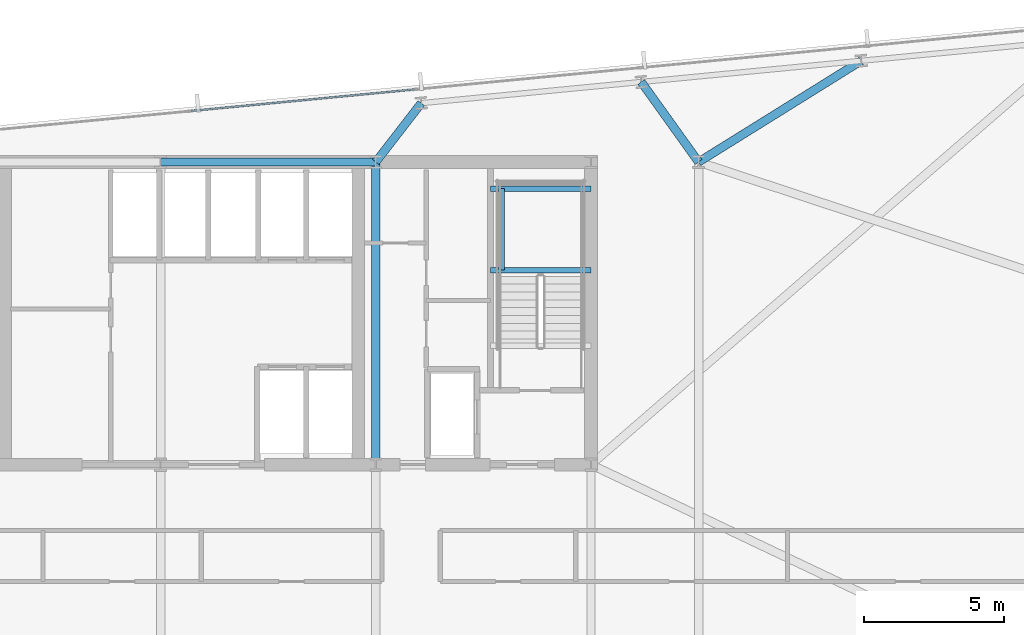
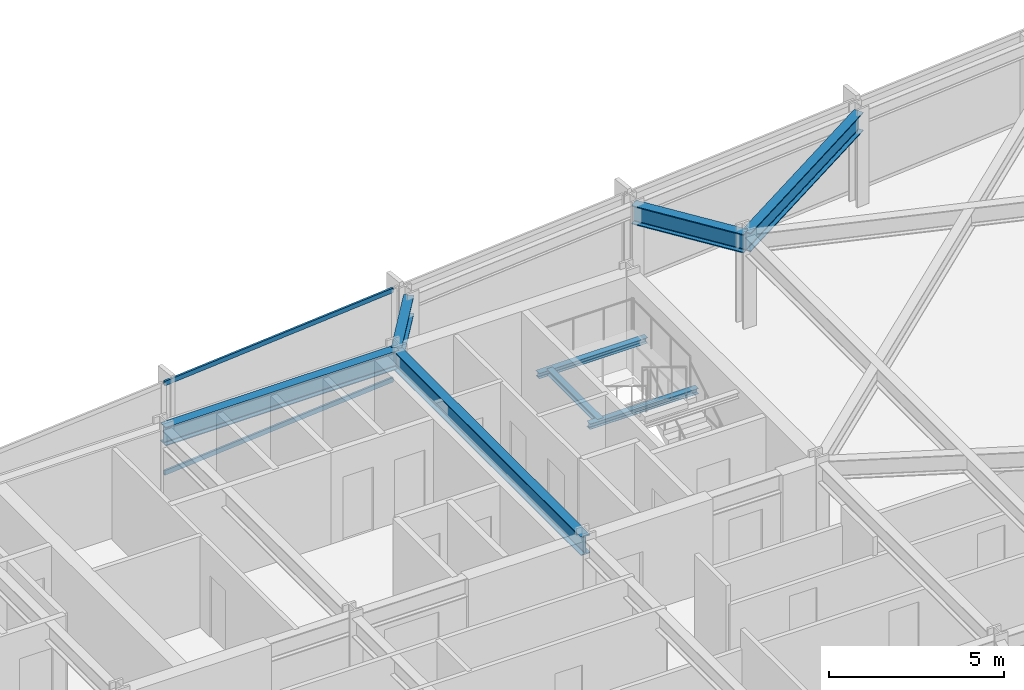
# One storey, part 20 of 32: 8 beams, 2 members, 1 element without a shape of its own.
"""IFC4 building model written with IfcOpenShell, lengths in metres."""

from ifc_helpers import new_model, si_unit, direction, frame, origin, origin_2d, place, context, subcontext, project, spatial, hollow_rectangle, i_section, extrude, material, material_profile, profile_set, type_object, element, aggregate, save


model = new_model("IFC4")

# Units and contexts
model_context = context("Model", 3, precision=1e-05, world=origin(), true_north=direction((0.0, 1.0)))
body_context = subcontext(model_context, "Body", "Model", "MODEL_VIEW")
ifc_project = project(units=[si_unit("LENGTHUNIT", "METRE"), si_unit("AREAUNIT", "SQUARE_METRE"), si_unit("VOLUMEUNIT", "CUBIC_METRE"), si_unit("PLANEANGLEUNIT", "RADIAN"), si_unit("MASSUNIT", "GRAM", prefix="KILO")], contexts=[model_context])

# Site, building, storey
site_placement = place(None, origin())
site = spatial("IfcSite", under=ifc_project, at=site_placement, CompositionType="ELEMENT")
building_placement = place(site_placement, origin())
building = spatial("IfcBuilding", under=site, at=building_placement, Name="Yelkora Congress Tower", CompositionType="ELEMENT")
storey_placement = place(building_placement, frame((0.0, 0.0, 120.300048828125)))
storey = spatial("IfcBuildingStorey", under=building, at=storey_placement, Name="L32", CompositionType="ELEMENT", Elevation=120.300048828125)

# Beams
ifc_material_1 = material(Name="Steel S355J2", Category="steel")
ifc_material_profile_1 = material_profile(ifc_material_1, i_section(OverallWidth=0.300048828125, OverallDepth=0.64990234375, WebThickness=0.01611328125, FlangeThickness=0.031005859375, FilletRadius=0.027099609375, at=origin_2d()), Name="HEB 650")
ifc_profile_set_1 = profile_set([ifc_material_profile_1], Name="Steel S355J2")
beam_type_1 = type_object("IfcBeamType", Name="BM-GIRD-HEB650", PredefinedType="BEAM", material=ifc_profile_set_1)
beam_1_placement = place(storey_placement, frame((38.39990234375, 46.199951171875, 2.85498046875), z_axis=(1.0, 0.0, 0.0), x_axis=(0.0, 1.0, 0.0)))
element("IfcBeam", 1, at=beam_1_placement, inside=storey, type_object=beam_type_1, Name="L32 Core North Girder 4", PredefinedType="BEAM", context=body_context, shape_type="SweptSolid", body=[
    extrude(i_section(OverallWidth=0.300048828125, OverallDepth=0.64990234375, WebThickness=0.01611328125, FlangeThickness=0.031005859375, FilletRadius=0.027099609375, at=origin_2d()), origin(), (0.0, 0.0, 1.0), 7.68017578125),
])
beam_2_placement = place(storey_placement, frame((46.080078125, 35.39990234375, 2.85498046875), z_axis=(0.0, 1.0, 0.0), x_axis=(-1.0, 0.0, 0.0)))
element("IfcBeam", 2, at=beam_2_placement, inside=storey, type_object=beam_type_1, Name="L32 Core Tie Girder MC-S4", PredefinedType="BEAM", context=body_context, shape_type="SweptSolid", body=[
    extrude(i_section(OverallWidth=0.300048828125, OverallDepth=0.64990234375, WebThickness=0.01611328125, FlangeThickness=0.031005859375, FilletRadius=0.027099609375, at=origin_2d()), origin(), (0.0, 0.0, 1.0), 10.800048828125),
])
beam_3_placement = place(storey_placement, frame((47.70458984375, 48.300537109375, 2.85498046875), z_axis=(-0.611761448665, -0.791042306029, 0.0), x_axis=(0.791042306029, -0.611761448665, 0.0)))
element("IfcBeam", 3, at=beam_3_placement, inside=storey, type_object=beam_type_1, Name="L32 Primary Frame Girder N05", PredefinedType="BEAM", context=body_context, shape_type="SweptSolid", body=[
    extrude(i_section(OverallWidth=0.300048828125, OverallDepth=0.64990234375, WebThickness=0.01611328125, FlangeThickness=0.031005859375, FilletRadius=0.027099609375, at=origin_2d()), origin(), (0.0, 0.0, 1.0), 2.655517578125),
])
beam_4_placement = place(storey_placement, frame((55.553955078125, 49.056396484375, 2.85498046875), z_axis=(0.582335305303, -0.81294870207, 0.0), x_axis=(0.81294870207, 0.582335305303, 0.0)))
element("IfcBeam", 4, at=beam_4_placement, inside=storey, type_object=beam_type_1, Name="L32 Primary Frame Girder N06", PredefinedType="BEAM", context=body_context, shape_type="SweptSolid", body=[
    extrude(i_section(OverallWidth=0.300048828125, OverallDepth=0.64990234375, WebThickness=0.01611328125, FlangeThickness=0.031005859375, FilletRadius=0.027099609375, at=origin_2d()), origin(), (0.0, 0.0, 1.0), 3.513671875),
])
beam_5_placement = place(storey_placement, frame((63.4033203125, 49.81201171875, 2.85498046875), z_axis=(-0.848980050527, -0.528424898929, 0.0), x_axis=(0.528424898929, -0.848980050527, 0.0)))
element("IfcBeam", 5, at=beam_5_placement, inside=storey, type_object=beam_type_1, Name="L32 Primary Frame Girder N07", PredefinedType="BEAM", context=body_context, shape_type="SweptSolid", body=[
    extrude(i_section(OverallWidth=0.300048828125, OverallDepth=0.64990234375, WebThickness=0.01611328125, FlangeThickness=0.031005859375, FilletRadius=0.027099609375, at=origin_2d()), origin(), (0.0, 0.0, 1.0), 6.83544921875),
])
ifc_material_profile_2 = material_profile(ifc_material_1, i_section(OverallWidth=0.199951171875, OverallDepth=0.18994140625, WebThickness=0.006591796875, FlangeThickness=0.010009765625, FilletRadius=0.01806640625, at=origin_2d()), Name="HEA 200")
ifc_profile_set_2 = profile_set([ifc_material_profile_2], Name="Steel S355J2")
beam_type_2 = type_object("IfcBeamType", Name="BM-LAND-HEA200", PredefinedType="BEAM", material=ifc_profile_set_2)
for number, where, z_axis, x_axis, name in (
    (6, (50.179931640625, 42.340087890625, 1.384521484375), (1.0, 0.0, 0.0), (0.0, 1.0, 0.0), "ST-02 L32 Landing Header Beam 1S"),
    (7, (50.179931640625, 45.25, 1.384521484375), (1.0, 0.0, 0.0), (0.0, 1.0, 0.0), "ST-02 L32 Landing Header Beam 1N"),
):
    element("IfcBeam", number, at=place(storey_placement, frame(where, z_axis=z_axis, x_axis=x_axis)), inside=storey, type_object=beam_type_2, Name=name, PredefinedType="BEAM", context=body_context, shape_type="SweptSolid", body=[
        extrude(i_section(OverallWidth=0.199951171875, OverallDepth=0.18994140625, WebThickness=0.006591796875, FlangeThickness=0.010009765625, FilletRadius=0.01806640625, at=origin_2d()), origin(), (0.0, 0.0, 1.0), 3.580078125),
    ])
beam_6_placement = place(storey_placement, frame((50.580078125, 42.340087890625, 1.384521484375), z_axis=(0.0, 1.0, 0.0), x_axis=(-1.0, 0.0, 0.0)))
element("IfcBeam", 8, at=beam_6_placement, inside=storey, type_object=beam_type_2, Name="ST-02 L32 Landing Trimmer Beam 1M", PredefinedType="BEAM", context=body_context, shape_type="SweptSolid", body=[
    extrude(i_section(OverallWidth=0.199951171875, OverallDepth=0.18994140625, WebThickness=0.006591796875, FlangeThickness=0.010009765625, FilletRadius=0.01806640625, at=origin_2d()), origin(), (0.0, 0.0, 1.0), 2.909912109375),
])

# Curtain wall, members
ifc_material_2 = material(Name="Anodised aluminium and insulated glass", Category="aluminium")
curtain_wall_type = type_object("IfcCurtainWallType", Name="CW-SYS-B2", PredefinedType="NOTDEFINED", material=ifc_material_2)
curtain_wall_placement = place(storey_placement, origin())
curtain_wall = element("IfcCurtainWall", 9, at=curtain_wall_placement, inside=storey, type_object=curtain_wall_type, Name="L32 Unitised Curtain Wall 10 (3)", PredefinedType="NOTDEFINED")
ifc_material_3 = material(Name="Anodised aluminium 6063-T6", Category="aluminium")
ifc_material_profile_3 = material_profile(ifc_material_3, hollow_rectangle(XDim=0.06494140625, YDim=0.159912109375, WallThickness=0.00390625, at=origin_2d()), Name="ALU 65x160x4")
ifc_profile_set_3 = profile_set([ifc_material_profile_3], Name="Anodised aluminium 6063-T6")
member_type = type_object("IfcMemberType", Name="MEM-TR-B2", PredefinedType="USERDEFINED", material=ifc_profile_set_3)
member_1_placement = place(storey_placement, frame((39.48681640625, 48.021728515625, 0.032470703125), z_axis=(0.995397513894, 0.095832089266, 0.0), x_axis=(-0.095832089266, 0.995397513894, 0.0)))
member_1 = element("IfcMember", 10, at=member_1_placement, type_object=member_type, Name="CW-B2 transom 3.1", ObjectType="TRANSOM", PredefinedType="USERDEFINED", context=body_context, shape_type="SweptSolid", body=[
    extrude(hollow_rectangle(XDim=0.06494140625, YDim=0.159912109375, WallThickness=0.00390625, at=origin_2d()), origin(), (0.0, 0.0, 1.0), 8.007080078125),
])
member_2_placement = place(storey_placement, frame((39.48681640625, 48.021728515625, 3.1474609375), z_axis=(0.995397513894, 0.095832089266, 0.0), x_axis=(-0.095832089266, 0.995397513894, 0.0)))
member_2 = element("IfcMember", 11, at=member_2_placement, type_object=member_type, Name="CW-B2 transom 3.2", ObjectType="TRANSOM", PredefinedType="USERDEFINED", context=body_context, shape_type="SweptSolid", body=[
    extrude(hollow_rectangle(XDim=0.06494140625, YDim=0.159912109375, WallThickness=0.00390625, at=origin_2d()), origin(), (0.0, 0.0, 1.0), 8.007080078125),
])
aggregate(curtain_wall, [member_1, member_2])

save(model, "model.ifc")
